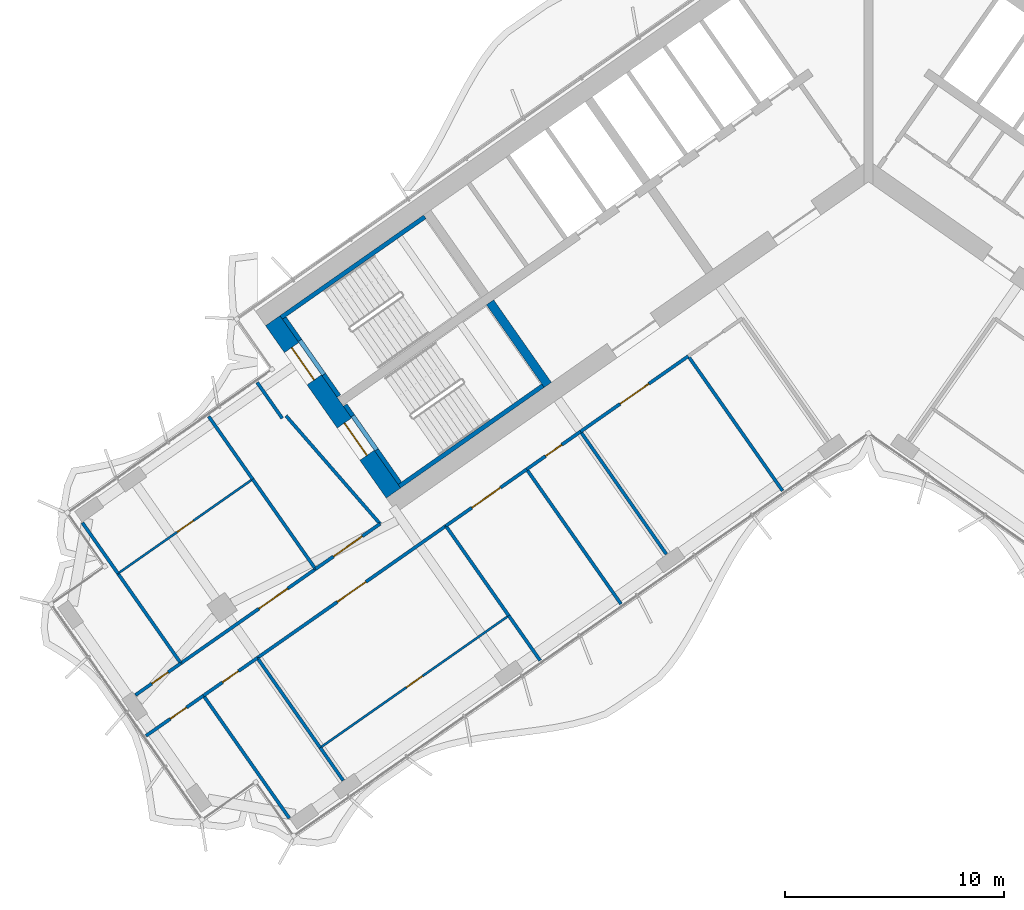
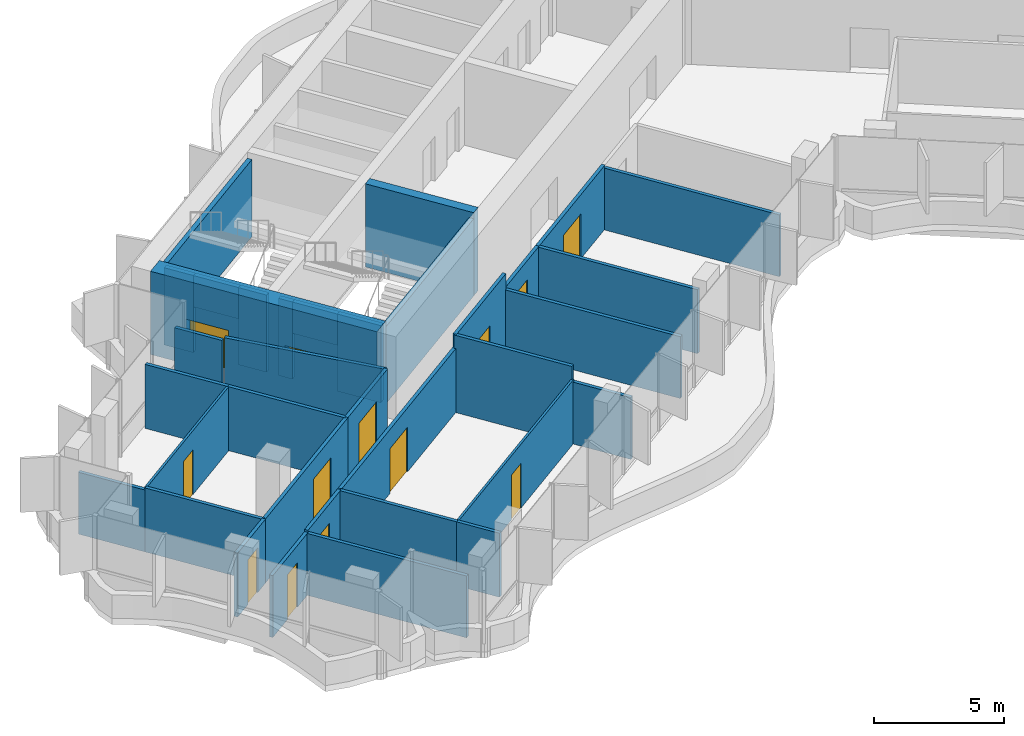
# One storey, part 14 of 23: 35 walls, 13 doors, 13 openings.
"""IFC4 building model written with IfcOpenShell, lengths in metres."""

from ifc_helpers import new_model, si_unit, direction, frame, frame_2d, origin, place, context, subcontext, project, spatial, polyline, rectangle, outline, extrude, material, layer, layer_set, type_object, element, fill, save


model = new_model("IFC4")

# Units and contexts
model_context = context("Model", 3, precision=1e-05, world=origin(), true_north=direction((0.0, 1.0)))
body_context = subcontext(model_context, "Body", "Model", "MODEL_VIEW")
ifc_project = project(units=[si_unit("LENGTHUNIT", "METRE"), si_unit("AREAUNIT", "SQUARE_METRE"), si_unit("VOLUMEUNIT", "CUBIC_METRE"), si_unit("PLANEANGLEUNIT", "RADIAN"), si_unit("MASSUNIT", "GRAM", prefix="KILO")], contexts=[model_context])

# Site, building, storey
site_placement = place(None, origin())
site = spatial("IfcSite", under=ifc_project, at=site_placement, CompositionType="ELEMENT")
building_placement = place(site_placement, origin())
building = spatial("IfcBuilding", under=site, at=building_placement, Name="Tel Ilan Convention Tower", CompositionType="ELEMENT")
storey_placement = place(building_placement, frame((0.0, 0.0, 182.699951171875)))
storey = spatial("IfcBuildingStorey", under=building, at=storey_placement, Name="L42", CompositionType="ELEMENT", Elevation=182.699951171875)

# Wall
ifc_material_1 = material(Name="Concrete C50/60", Category="concrete")
ifc_layer_1 = layer(ifc_material_1, 0.39990234375)
ifc_layer_set_1 = layer_set([ifc_layer_1], Name="Core Shear Wall 400 mm C50/60")
wall_type_1 = type_object("IfcWallType", Name="Core Shear Wall 400 mm C50/60", PredefinedType="SHEAR", material=ifc_layer_set_1)
wall_1_placement = place(storey_placement, frame((-14.6298828125, -10.48828125, 0.0), z_axis=(0.0, 0.0, 1.0), x_axis=(-0.573611936273, 0.819127185829, 0.0)))
element("IfcWall", 1, at=wall_1_placement, inside=storey, type_object=wall_type_1, Name="L42 core wall W-cross2-1", PredefinedType="SHEAR", context=body_context, shape_type="SweptSolid", body=[
    extrude(outline(polyline([(4.60009765625, 0.199951171875), (0.000244140625, 0.2001953125), (0.000244140625, -0.199951171875), (4.60009765625, -0.2001953125), (4.60009765625, 0.199951171875)])), origin(), (0.0, 0.0, 1.0), 3.900146484375),
])

# Wall, openings, doors
ifc_material_2 = material(Name="Concrete C50/60", Category="concrete")
ifc_layer_2 = layer(ifc_material_2, 0.800048828125)
ifc_layer_set_2 = layer_set([ifc_layer_2], Name="Core Shear Wall 800 mm C50/60")
wall_type_2 = type_object("IfcWallType", Name="Core Shear Wall 800 mm C50/60", PredefinedType="SHEAR", material=ifc_layer_set_2)
wall_2_placement = place(storey_placement, frame((-21.6748046875, -15.4208984375, 0.0), z_axis=(0.0, 0.0, 1.0), x_axis=(-0.573581815061, 0.819148278049, 0.0)))
wall_2 = element("IfcWall", 2, at=wall_2_placement, inside=storey, type_object=wall_type_2, Name="L42 core wall W-end", PredefinedType="SHEAR", context=body_context, shape_type="SweptSolid", body=[
    extrude(outline(polyline([(0.0, 0.39990234375), (0.0, -0.39990234375), (9.599853515625, -0.400146484375), (9.599853515625, 0.39990234375), (0.0, 0.39990234375)])), origin(), (0.0, 0.0, 1.0), 3.900146484375),
])
opening_1_placement = place(wall_2_placement, frame((6.300048828125, 0.0, 0.0)))
opening_1 = element("IfcOpeningElement", 3, at=opening_1_placement, cuts=wall_2, Name="Opening SD3201", PredefinedType="OPENING", context=body_context, shape_type="SweptSolid", body=[
    extrude(rectangle(XDim=1.800048828125, YDim=2.10009765625, at=frame_2d((0.89990234375, 1.050048828125))), frame((0.0, 0.409912109375, 0.0), z_axis=(0.0, -1.0, 0.0), x_axis=(1.0, 0.0, 0.0)), (0.0, 0.0, 1.0), 0.820068359375),
])
opening_2_placement = place(wall_2_placement, frame((2.10009765625, 0.0, 0.0)))
opening_2 = element("IfcOpeningElement", 4, at=opening_2_placement, cuts=wall_2, Name="Opening SD3202", PredefinedType="OPENING", context=body_context, shape_type="SweptSolid", body=[
    extrude(rectangle(XDim=1.800048828125, YDim=2.10009765625, at=frame_2d((0.89990234375, 1.050048828125))), frame((0.0, 0.409912109375, 0.0), z_axis=(0.0, -1.0, 0.0), x_axis=(1.0, 0.0, 0.0)), (0.0, 0.0, 1.0), 0.820068359375),
])
ifc_material_3 = material(Name="Galvanised Steel Door Leaf", Category="steel")
door_type_1 = type_object("IfcDoorType", Name="Stair Fire Door 1800 x 2100 FD60S", OperationType="NOTDEFINED", PredefinedType="DOOR", material=ifc_material_3)
door_1_placement = place(opening_1_placement, origin())
door_1 = element("IfcDoor", 5, at=door_1_placement, inside=storey, type_object=door_type_1, Name="Stair S1 door", OperationType="DOUBLE_DOOR_SINGLE_SWING", OverallHeight=2.10009765625, OverallWidth=1.800048828125, PredefinedType="DOOR", context=body_context, shape_type="SweptSolid", body=[
    extrude(rectangle(XDim=1.800048828125, YDim=2.10009765625, at=frame_2d((0.89990234375, 1.050048828125))), frame((0.0, 0.02490234375, 0.0), z_axis=(0.0, -1.0, 0.0), x_axis=(1.0, 0.0, 0.0)), (0.0, 0.0, 1.0), 0.050048828125),
])
fill(opening_1, door_1)
door_2_placement = place(opening_2_placement, origin())
door_2 = element("IfcDoor", 6, at=door_2_placement, inside=storey, type_object=door_type_1, Name="Stair S2 door", OperationType="DOUBLE_DOOR_SINGLE_SWING", OverallHeight=2.10009765625, OverallWidth=1.800048828125, PredefinedType="DOOR", context=body_context, shape_type="SweptSolid", body=[
    extrude(rectangle(XDim=1.800048828125, YDim=2.10009765625, at=frame_2d((0.89990234375, 1.050048828125))), frame((0.0, 0.02490234375, 0.0), z_axis=(0.0, -1.0, 0.0), x_axis=(1.0, 0.0, 0.0)), (0.0, 0.0, 1.0), 0.050048828125),
])
fill(opening_2, door_2)

# Wall, opening, door
ifc_material_4 = material(Name="Plasterboard on Steel Studs", Category="steel")
ifc_layer_3 = layer(ifc_material_4, 0.14990234375)
ifc_layer_set_3 = layer_set([ifc_layer_3], Name="Fire-rated Partition 150 EI 60")
wall_type_3 = type_object("IfcWallType", Name="Fire-rated Partition 150 EI 60", PredefinedType="PARTITIONING", material=ifc_layer_set_3)
wall_3_placement = place(storey_placement, frame((-25.23095703125, -18.888427734375, 0.0), z_axis=(0.0, 0.0, 1.0), x_axis=(0.819152236293, 0.573576162141, 0.0)))
wall_3 = element("IfcWall", 7, at=wall_3_placement, inside=storey, type_object=wall_type_3, Name="Partition 007", PredefinedType="PARTITIONING", context=body_context, shape_type="SweptSolid", body=[
    extrude(rectangle(XDim=3.598876953125, YDim=0.14990234375, at=frame_2d((1.79931640625, 0.0))), origin(), (0.0, 0.0, 1.0), 3.0),
])
opening_3_placement = place(wall_3_placement, frame((0.99951171875, 0.0, 0.0)))
opening_3 = element("IfcOpeningElement", 8, at=opening_3_placement, cuts=wall_3, Name="Opening L42-009", PredefinedType="OPENING", context=body_context, shape_type="SweptSolid", body=[
    extrude(rectangle(XDim=1.60009765625, YDim=2.10009765625, at=frame_2d((0.800048828125, 1.050048828125))), frame((0.0, 0.0849609375, 0.0), z_axis=(0.0, -1.0, 0.0), x_axis=(1.0, 0.0, 0.0)), (0.0, 0.0, 1.0), 0.169921875),
])
ifc_material_5 = material(Name="Timber Door Leaf in Steel Frame", Category="steel")
door_type_2 = type_object("IfcDoorType", Name="Tenant Suite Entrance Fire Door 1600x2100", OperationType="NOTDEFINED", PredefinedType="DOOR", material=ifc_material_5)
door_3_placement = place(opening_3_placement, origin())
door_3 = element("IfcDoor", 9, at=door_3_placement, inside=storey, type_object=door_type_2, Name="Door L42-009", OperationType="DOUBLE_DOOR_SINGLE_SWING", OverallHeight=2.10009765625, OverallWidth=1.60009765625, PredefinedType="DOOR", context=body_context, shape_type="SweptSolid", body=[
    extrude(rectangle(XDim=1.60009765625, YDim=2.10009765625, at=frame_2d((0.800048828125, 1.050048828125))), frame((0.0, 0.02490234375, 0.0), z_axis=(0.0, -1.0, 0.0), x_axis=(1.0, 0.0, 0.0)), (0.0, 0.0, 1.0), 0.050048828125),
])
fill(opening_3, door_3)

wall_4_placement = place(storey_placement, frame((-31.37451171875, -23.190185546875, 0.0), z_axis=(0.0, 0.0, 1.0), x_axis=(0.819153958035, 0.573573703229, 0.0)))
wall_4 = element("IfcWall", 10, at=wall_4_placement, inside=storey, type_object=wall_type_3, Name="Partition 008", PredefinedType="PARTITIONING", context=body_context, shape_type="SweptSolid", body=[
    extrude(rectangle(XDim=7.503662109375, YDim=0.14990234375, at=frame_2d((3.751953125, 0.0))), origin(), (0.0, 0.0, 1.0), 3.0),
])
opening_4_placement = place(wall_4_placement, frame((4.351806640625, 0.0, 0.0)))
opening_4 = element("IfcOpeningElement", 11, at=opening_4_placement, cuts=wall_4, Name="Opening L42-010", PredefinedType="OPENING", context=body_context, shape_type="SweptSolid", body=[
    extrude(rectangle(XDim=1.60009765625, YDim=2.10009765625, at=frame_2d((0.800048828125, 1.050048828125))), frame((0.0, 0.0849609375, 0.0), z_axis=(0.0, -1.0, 0.0), x_axis=(1.0, 0.0, 0.0)), (0.0, 0.0, 1.0), 0.169921875),
])
door_4_placement = place(opening_4_placement, origin())
door_4 = element("IfcDoor", 12, at=door_4_placement, inside=storey, type_object=door_type_2, Name="Door L42-010", OperationType="DOUBLE_DOOR_SINGLE_SWING", OverallHeight=2.10009765625, OverallWidth=1.60009765625, PredefinedType="DOOR", context=body_context, shape_type="SweptSolid", body=[
    extrude(rectangle(XDim=1.60009765625, YDim=2.10009765625, at=frame_2d((0.800048828125, 1.050048828125))), frame((0.0, 0.02490234375, 0.0), z_axis=(0.0, -1.0, 0.0), x_axis=(1.0, 0.0, 0.0)), (0.0, 0.0, 1.0), 0.050048828125),
])
fill(opening_4, door_4)

wall_5_placement = place(storey_placement, frame((-33.4453125, -24.640380859375, 0.0), z_axis=(0.0, 0.0, 1.0), x_axis=(0.819163961478, 0.573559416465, 0.0)))
wall_5 = element("IfcWall", 13, at=wall_5_placement, inside=storey, type_object=wall_type_3, Name="Partition 009", PredefinedType="PARTITIONING", context=body_context, shape_type="SweptSolid", body=[
    extrude(rectangle(XDim=2.53173828125, YDim=0.14990234375, at=frame_2d((1.265869140625, 0.0))), origin(), (0.0, 0.0, 1.0), 3.0),
])
opening_5_placement = place(wall_5_placement, frame((0.916015625, 0.0, 0.0)))
opening_5 = element("IfcOpeningElement", 14, at=opening_5_placement, cuts=wall_5, Name="Opening L42-012", PredefinedType="OPENING", context=body_context, shape_type="SweptSolid", body=[
    extrude(rectangle(XDim=0.89990234375, YDim=2.10009765625, at=frame_2d((0.449951171875, 1.050048828125))), frame((0.0, 0.0849609375, 0.0), z_axis=(0.0, -1.0, 0.0), x_axis=(1.0, 0.0, 0.0)), (0.0, 0.0, 1.0), 0.169921875),
])
ifc_material_6 = material(Name="Timber Door Leaf in Steel Frame", Category="steel")
door_type_3 = type_object("IfcDoorType", Name="Room Fire Door 900x2100", OperationType="NOTDEFINED", PredefinedType="DOOR", material=ifc_material_6)
door_5_placement = place(opening_5_placement, origin())
door_5 = element("IfcDoor", 15, at=door_5_placement, inside=storey, type_object=door_type_3, Name="Door L42-012", OperationType="SINGLE_SWING_RIGHT", OverallHeight=2.10009765625, OverallWidth=0.89990234375, PredefinedType="DOOR", context=body_context, shape_type="SweptSolid", body=[
    extrude(rectangle(XDim=0.89990234375, YDim=2.10009765625, at=frame_2d((0.449951171875, 1.050048828125))), frame((0.0, 0.02490234375, 0.0), z_axis=(0.0, -1.0, 0.0), x_axis=(1.0, 0.0, 0.0)), (0.0, 0.0, 1.0), 0.050048828125),
])
fill(opening_5, door_5)

wall_6_placement = place(storey_placement, frame((-8.22216796875, -9.17529296875, 0.0), z_axis=(0.0, 0.0, 1.0), x_axis=(-0.819145946981, -0.573585144111, 0.0)))
wall_6 = element("IfcWall", 16, at=wall_6_placement, inside=storey, type_object=wall_type_3, Name="Partition 011", PredefinedType="PARTITIONING", context=body_context, shape_type="SweptSolid", body=[
    extrude(rectangle(XDim=6.004150390625, YDim=0.14990234375, at=frame_2d((3.001953125, 0.0))), origin(), (0.0, 0.0, 1.0), 3.0),
])
opening_6_placement = place(wall_6_placement, frame((2.201904296875, 0.0, 0.0)))
opening_6 = element("IfcOpeningElement", 17, at=opening_6_placement, cuts=wall_6, Name="Opening L42-002", PredefinedType="OPENING", context=body_context, shape_type="SweptSolid", body=[
    extrude(rectangle(XDim=1.60009765625, YDim=2.10009765625, at=frame_2d((0.800048828125, 1.050048828125))), frame((0.0, 0.0849609375, 0.0), z_axis=(0.0, -1.0, 0.0), x_axis=(1.0, 0.0, 0.0)), (0.0, 0.0, 1.0), 0.169921875),
])
door_6_placement = place(opening_6_placement, origin())
door_6 = element("IfcDoor", 18, at=door_6_placement, inside=storey, type_object=door_type_2, Name="Door L42-002", OperationType="DOUBLE_DOOR_SINGLE_SWING", OverallHeight=2.10009765625, OverallWidth=1.60009765625, PredefinedType="DOOR", context=body_context, shape_type="SweptSolid", body=[
    extrude(rectangle(XDim=1.60009765625, YDim=2.10009765625, at=frame_2d((0.800048828125, 1.050048828125))), frame((0.0, 0.02490234375, 0.0), z_axis=(0.0, -1.0, 0.0), x_axis=(1.0, 0.0, 0.0)), (0.0, 0.0, 1.0), 0.050048828125),
])
fill(opening_6, door_6)

wall_7_placement = place(storey_placement, frame((-13.13720703125, -12.616943359375, 0.0), z_axis=(0.0, 0.0, 1.0), x_axis=(-0.81916700466, -0.573555070134, 0.0)))
wall_7 = element("IfcWall", 19, at=wall_7_placement, inside=storey, type_object=wall_type_3, Name="Partition 012", PredefinedType="PARTITIONING", context=body_context, shape_type="SweptSolid", body=[
    extrude(rectangle(XDim=3.00390625, YDim=0.14990234375, at=frame_2d((1.501953125, 0.0))), origin(), (0.0, 0.0, 1.0), 3.0),
])
opening_7_placement = place(wall_7_placement, frame((1.052001953125, 0.0, 0.0)))
opening_7 = element("IfcOpeningElement", 20, at=opening_7_placement, cuts=wall_7, Name="Opening L42-003", PredefinedType="OPENING", context=body_context, shape_type="SweptSolid", body=[
    extrude(rectangle(XDim=0.89990234375, YDim=2.10009765625, at=frame_2d((0.449951171875, 1.050048828125))), frame((0.0, 0.0849609375, 0.0), z_axis=(0.0, -1.0, 0.0), x_axis=(1.0, 0.0, 0.0)), (0.0, 0.0, 1.0), 0.169921875),
])
door_7_placement = place(opening_7_placement, origin())
door_7 = element("IfcDoor", 21, at=door_7_placement, inside=storey, type_object=door_type_3, Name="Door L42-003", OperationType="SINGLE_SWING_RIGHT", OverallHeight=2.10009765625, OverallWidth=0.89990234375, PredefinedType="DOOR", context=body_context, shape_type="SweptSolid", body=[
    extrude(rectangle(XDim=0.89990234375, YDim=2.10009765625, at=frame_2d((0.449951171875, 1.050048828125))), frame((0.0, 0.02490234375, 0.0), z_axis=(0.0, -1.0, 0.0), x_axis=(1.0, 0.0, 0.0)), (0.0, 0.0, 1.0), 0.050048828125),
])
fill(opening_7, door_7)

wall_8_placement = place(storey_placement, frame((-15.594482421875, -14.337646484375, 0.0), z_axis=(0.0, 0.0, 1.0), x_axis=(-0.819165703328, -0.573556928727, 0.0)))
wall_8 = element("IfcWall", 22, at=wall_8_placement, inside=storey, type_object=wall_type_3, Name="Partition 013", PredefinedType="PARTITIONING", context=body_context, shape_type="SweptSolid", body=[
    extrude(rectangle(XDim=4.50390625, YDim=0.14990234375, at=frame_2d((2.251953125, 0.0))), origin(), (0.0, 0.0, 1.0), 3.6201171875),
])
opening_8_placement = place(wall_8_placement, frame((1.451904296875, 0.0, 0.0)))
opening_8 = element("IfcOpeningElement", 23, at=opening_8_placement, cuts=wall_8, Name="Opening L42-004", PredefinedType="OPENING", context=body_context, shape_type="SweptSolid", body=[
    extrude(rectangle(XDim=1.60009765625, YDim=2.10009765625, at=frame_2d((0.800048828125, 1.050048828125))), frame((0.0, 0.0849609375, 0.0), z_axis=(0.0, -1.0, 0.0), x_axis=(1.0, 0.0, 0.0)), (0.0, 0.0, 1.0), 0.169921875),
])
door_8_placement = place(opening_8_placement, origin())
door_8 = element("IfcDoor", 24, at=door_8_placement, inside=storey, type_object=door_type_2, Name="Door L42-004", OperationType="DOUBLE_DOOR_SINGLE_SWING", OverallHeight=2.10009765625, OverallWidth=1.60009765625, PredefinedType="DOOR", context=body_context, shape_type="SweptSolid", body=[
    extrude(rectangle(XDim=1.60009765625, YDim=2.10009765625, at=frame_2d((0.800048828125, 1.050048828125))), frame((0.0, 0.02490234375, 0.0), z_axis=(0.0, -1.0, 0.0), x_axis=(1.0, 0.0, 0.0)), (0.0, 0.0, 1.0), 0.050048828125),
])
fill(opening_8, door_8)

wall_9_placement = place(storey_placement, frame((-19.28076171875, -16.918701171875, 0.0), z_axis=(0.0, 0.0, 1.0), x_axis=(-0.819145647741, -0.57358557146, 0.0)))
wall_9 = element("IfcWall", 25, at=wall_9_placement, inside=storey, type_object=wall_type_3, Name="Partition 014", PredefinedType="PARTITIONING", context=body_context, shape_type="SweptSolid", body=[
    extrude(rectangle(XDim=10.50390625, YDim=0.14990234375, at=frame_2d((5.251953125, 0.0))), origin(), (0.0, 0.0, 1.0), 3.0),
])
opening_9_placement = place(wall_9_placement, frame((4.451904296875, 0.0, 0.0)))
opening_9 = element("IfcOpeningElement", 26, at=opening_9_placement, cuts=wall_9, Name="Opening L42-005", PredefinedType="OPENING", context=body_context, shape_type="SweptSolid", body=[
    extrude(rectangle(XDim=1.60009765625, YDim=2.10009765625, at=frame_2d((0.800048828125, 1.050048828125))), frame((0.0, 0.0849609375, 0.0), z_axis=(0.0, -1.0, 0.0), x_axis=(1.0, 0.0, 0.0)), (0.0, 0.0, 1.0), 0.169921875),
])
door_9_placement = place(opening_9_placement, origin())
door_9 = element("IfcDoor", 27, at=door_9_placement, inside=storey, type_object=door_type_2, Name="Door L42-005", OperationType="DOUBLE_DOOR_SINGLE_SWING", OverallHeight=2.10009765625, OverallWidth=1.60009765625, PredefinedType="DOOR", context=body_context, shape_type="SweptSolid", body=[
    extrude(rectangle(XDim=1.60009765625, YDim=2.10009765625, at=frame_2d((0.800048828125, 1.050048828125))), frame((0.0, 0.02490234375, 0.0), z_axis=(0.0, -1.0, 0.0), x_axis=(1.0, 0.0, 0.0)), (0.0, 0.0, 1.0), 0.050048828125),
])
fill(opening_9, door_9)

wall_10_placement = place(storey_placement, frame((-27.8818359375, -22.94140625, 0.0), z_axis=(0.0, 0.0, 1.0), x_axis=(-0.81916700466, -0.573555070134, 0.0)))
wall_10 = element("IfcWall", 28, at=wall_10_placement, inside=storey, type_object=wall_type_3, Name="Partition 015", PredefinedType="PARTITIONING", context=body_context, shape_type="SweptSolid", body=[
    extrude(rectangle(XDim=3.00390625, YDim=0.14990234375, at=frame_2d((1.501953125, 0.0))), origin(), (0.0, 0.0, 1.0), 3.0),
])
opening_10_placement = place(wall_10_placement, frame((1.052001953125, 0.0, 0.0)))
opening_10 = element("IfcOpeningElement", 29, at=opening_10_placement, cuts=wall_10, Name="Opening L42-007", PredefinedType="OPENING", context=body_context, shape_type="SweptSolid", body=[
    extrude(rectangle(XDim=0.89990234375, YDim=2.10009765625, at=frame_2d((0.449951171875, 1.050048828125))), frame((0.0, 0.0849609375, 0.0), z_axis=(0.0, -1.0, 0.0), x_axis=(1.0, 0.0, 0.0)), (0.0, 0.0, 1.0), 0.169921875),
])
door_10_placement = place(opening_10_placement, origin())
door_10 = element("IfcDoor", 30, at=door_10_placement, inside=storey, type_object=door_type_3, Name="Door L42-007", OperationType="SINGLE_SWING_RIGHT", OverallHeight=2.10009765625, OverallWidth=0.89990234375, PredefinedType="DOOR", context=body_context, shape_type="SweptSolid", body=[
    extrude(rectangle(XDim=0.89990234375, YDim=2.10009765625, at=frame_2d((0.449951171875, 1.050048828125))), frame((0.0, 0.02490234375, 0.0), z_axis=(0.0, -1.0, 0.0), x_axis=(1.0, 0.0, 0.0)), (0.0, 0.0, 1.0), 0.050048828125),
])
fill(opening_10, door_10)

wall_11_placement = place(storey_placement, frame((-30.33935546875, -24.662109375, 0.0), z_axis=(0.0, 0.0, 1.0), x_axis=(-0.819163851829, -0.573559573067, 0.0)))
wall_11 = element("IfcWall", 31, at=wall_11_placement, inside=storey, type_object=wall_type_3, Name="Partition 016", PredefinedType="PARTITIONING", context=body_context, shape_type="SweptSolid", body=[
    extrude(rectangle(XDim=3.201904296875, YDim=0.14990234375, at=frame_2d((1.60107421875, 0.0))), origin(), (0.0, 0.0, 1.0), 2.900146484375),
])
opening_11_placement = place(wall_11_placement, frame((0.950927734375, 0.0, 0.0)))
opening_11 = element("IfcOpeningElement", 32, at=opening_11_placement, cuts=wall_11, Name="Opening L42-008", PredefinedType="OPENING", context=body_context, shape_type="SweptSolid", body=[
    extrude(rectangle(XDim=0.89990234375, YDim=2.10009765625, at=frame_2d((0.449951171875, 1.050048828125))), frame((0.0, 0.0849609375, 0.0), z_axis=(0.0, -1.0, 0.0), x_axis=(1.0, 0.0, 0.0)), (0.0, 0.0, 1.0), 0.169921875),
])
door_11_placement = place(opening_11_placement, origin())
door_11 = element("IfcDoor", 33, at=door_11_placement, inside=storey, type_object=door_type_3, Name="Door L42-008", OperationType="SINGLE_SWING_RIGHT", OverallHeight=2.10009765625, OverallWidth=0.89990234375, PredefinedType="DOOR", context=body_context, shape_type="SweptSolid", body=[
    extrude(rectangle(XDim=0.89990234375, YDim=2.10009765625, at=frame_2d((0.449951171875, 1.050048828125))), frame((0.0, 0.02490234375, 0.0), z_axis=(0.0, -1.0, 0.0), x_axis=(1.0, 0.0, 0.0)), (0.0, 0.0, 1.0), 0.050048828125),
])
fill(opening_11, door_11)

# Walls
wall_12_placement = place(storey_placement, frame((-26.74609375, -12.013671875, 0.0), z_axis=(0.0, 0.0, 1.0), x_axis=(-0.573568836472, 0.819157365729, 0.0)))
element("IfcWall", 34, at=wall_12_placement, inside=storey, type_object=wall_type_3, Name="Partition 031", PredefinedType="PARTITIONING", context=body_context, shape_type="SweptSolid", body=[
    extrude(rectangle(XDim=2.000244140625, YDim=0.14990234375, at=frame_2d((1.0, 0.0))), origin(), (0.0, 0.0, 1.0), 3.0),
])
wall_13_placement = place(storey_placement, frame((-22.28369140625, -16.826416015625, 0.0), z_axis=(0.0, 0.0, 1.0), x_axis=(-0.656758142177, 0.754101281449, 0.0)))
element("IfcWall", 35, at=wall_13_placement, inside=storey, type_object=wall_type_3, Name="Partition 032", PredefinedType="PARTITIONING", context=body_context, shape_type="SweptSolid", body=[
    extrude(rectangle(XDim=6.53857421875, YDim=0.14990234375, at=frame_2d((3.269287109375, 0.0))), origin(), (0.0, 0.0, 1.0), 3.0),
])
wall_14_placement = place(storey_placement, frame((-28.096923828125, -14.7919921875, 0.0), z_axis=(0.0, 0.0, 1.0), x_axis=(-0.573560622794, 0.819163116834, 0.0)))
element("IfcWall", 36, at=wall_14_placement, inside=storey, type_object=wall_type_3, Name="Partition 033", PredefinedType="PARTITIONING", context=body_context, shape_type="SweptSolid", body=[
    extrude(rectangle(XDim=3.5009765625, YDim=0.14990234375, at=frame_2d((1.75048828125, 0.0))), origin(), (0.0, 0.0, 1.0), 3.0),
])
wall_15_placement = place(storey_placement, frame((-25.229736328125, -18.88671875, 0.0), z_axis=(0.0, 0.0, 1.0), x_axis=(-0.573557338351, 0.819165416521, 0.0)))
element("IfcWall", 37, at=wall_15_placement, inside=storey, type_object=wall_type_3, Name="Partition 034", PredefinedType="PARTITIONING", context=body_context, shape_type="SweptSolid", body=[
    extrude(rectangle(XDim=5.001953125, YDim=0.14990234375, at=frame_2d((2.5009765625, 0.0))), origin(), (0.0, 0.0, 1.0), 3.0),
])
wall_16_placement = place(storey_placement, frame((-34.24169921875, -19.092041015625, 0.0), z_axis=(0.0, 0.0, 1.0), x_axis=(-0.573612919194, 0.819126497516, 0.0)))
element("IfcWall", 38, at=wall_16_placement, inside=storey, type_object=wall_type_3, Name="Partition 036", PredefinedType="PARTITIONING", context=body_context, shape_type="SweptSolid", body=[
    extrude(rectangle(XDim=2.8291015625, YDim=0.14990234375, at=frame_2d((1.41455078125, 0.0))), origin(), (0.0, 0.0, 1.0), 2.900146484375),
])
wall_17_placement = place(storey_placement, frame((-31.373291015625, -23.188720703125, 0.0), z_axis=(0.0, 0.0, 1.0), x_axis=(-0.573586866468, 0.819144740944, 0.0)))
element("IfcWall", 39, at=wall_17_placement, inside=storey, type_object=wall_type_3, Name="Partition 037", PredefinedType="PARTITIONING", context=body_context, shape_type="SweptSolid", body=[
    extrude(rectangle(XDim=5.0, YDim=0.14990234375, at=frame_2d((2.5, 0.0))), origin(), (0.0, 0.0, 1.0), 3.0),
])
wall_18_placement = place(storey_placement, frame((-3.922119140625, -15.3203125, 0.0), z_axis=(0.0, 0.0, 1.0), x_axis=(-0.573560650686, 0.819163097304, 0.0)))
element("IfcWall", 40, at=wall_18_placement, inside=storey, type_object=wall_type_3, Name="Partition 038", PredefinedType="PARTITIONING", context=body_context, shape_type="SweptSolid", body=[
    extrude(rectangle(XDim=7.5, YDim=0.14990234375, at=frame_2d((3.75, 0.0))), origin(), (0.0, 0.0, 1.0), 2.900146484375),
])
wall_19_placement = place(storey_placement, frame((-9.22119140625, -18.212890625, 0.0), z_axis=(0.0, 0.0, 1.0), x_axis=(-0.573560698343, 0.819163063936, 0.0)))
element("IfcWall", 41, at=wall_19_placement, inside=storey, type_object=wall_type_3, Name="Partition 039", PredefinedType="PARTITIONING", context=body_context, shape_type="SweptSolid", body=[
    extrude(rectangle(XDim=6.830078125, YDim=0.14990234375, at=frame_2d((3.4150390625, 0.0))), origin(), (0.0, 0.0, 1.0), 3.0),
])
wall_20_placement = place(storey_placement, frame((-11.29443359375, -20.482421875, 0.0), z_axis=(0.0, 0.0, 1.0), x_axis=(-0.573560650686, 0.819163097304, 0.0)))
element("IfcWall", 42, at=wall_20_placement, inside=storey, type_object=wall_type_3, Name="Partition 040", PredefinedType="PARTITIONING", context=body_context, shape_type="SweptSolid", body=[
    extrude(rectangle(XDim=7.5, YDim=0.14990234375, at=frame_2d((3.75, 0.0))), origin(), (0.0, 0.0, 1.0), 2.900146484375),
])
wall_21_placement = place(storey_placement, frame((-14.98046875, -23.0634765625, 0.0), z_axis=(0.0, 0.0, 1.0), x_axis=(-0.573613022702, 0.819126425033, 0.0)))
element("IfcWall", 43, at=wall_21_placement, inside=storey, type_object=wall_type_3, Name="Partition 041", PredefinedType="PARTITIONING", context=body_context, shape_type="SweptSolid", body=[
    extrude(rectangle(XDim=2.5009765625, YDim=0.14990234375, at=frame_2d((1.25048828125, 0.0))), origin(), (0.0, 0.0, 1.0), 2.900146484375),
])
wall_22_placement = place(storey_placement, frame((-16.413330078125, -21.01708984375, 0.0), z_axis=(0.0, 0.0, 1.0), x_axis=(-0.573613022702, 0.819126425033, 0.0)))
element("IfcWall", 44, at=wall_22_placement, inside=storey, type_object=wall_type_3, Name="Partition 042", PredefinedType="PARTITIONING", context=body_context, shape_type="SweptSolid", body=[
    extrude(rectangle(XDim=5.001953125, YDim=0.14990234375, at=frame_2d((2.5009765625, 0.0))), origin(), (0.0, 0.0, 1.0), 3.6201171875),
])
wall_23_placement = place(storey_placement, frame((-23.9658203125, -28.537109375, 0.0), z_axis=(0.0, 0.0, 1.0), x_axis=(-0.573623601139, 0.819119017125, 0.0)))
element("IfcWall", 45, at=wall_23_placement, inside=storey, type_object=wall_type_3, Name="Partition 044", PredefinedType="PARTITIONING", context=body_context, shape_type="SweptSolid", body=[
    extrude(rectangle(XDim=1.828857421875, YDim=0.14990234375, at=frame_2d((0.91455078125, 0.0))), origin(), (0.0, 0.0, 1.0), 3.0),
])
wall_24_placement = place(storey_placement, frame((-25.015625, -27.0380859375, 0.0), z_axis=(0.0, 0.0, 1.0), x_axis=(-0.573586866468, 0.819144740944, 0.0)))
element("IfcWall", 46, at=wall_24_placement, inside=storey, type_object=wall_type_3, Name="Partition 045", PredefinedType="PARTITIONING", context=body_context, shape_type="SweptSolid", body=[
    extrude(rectangle(XDim=5.0, YDim=0.14990234375, at=frame_2d((2.5, 0.0))), origin(), (0.0, 0.0, 1.0), 3.0),
])
wall_25_placement = place(storey_placement, frame((-26.42333984375, -30.2578125, 0.0), z_axis=(0.0, 0.0, 1.0), x_axis=(-0.573577493031, 0.819151304393, 0.0)))
element("IfcWall", 47, at=wall_25_placement, inside=storey, type_object=wall_type_3, Name="Partition 046", PredefinedType="PARTITIONING", context=body_context, shape_type="SweptSolid", body=[
    extrude(rectangle(XDim=6.829833984375, YDim=0.14990234375, at=frame_2d((3.4150390625, 0.0))), origin(), (0.0, 0.0, 1.0), 2.900146484375),
])

# Wall, opening, door
ifc_material_7 = material(Name="Plasterboard on Steel Studs", Category="steel")
ifc_layer_4 = layer(ifc_material_7, 0.10009765625)
ifc_layer_set_4 = layer_set([ifc_layer_4], Name="Plasterboard Partition 100")
wall_type_4 = type_object("IfcWallType", Name="Plasterboard Partition 100", PredefinedType="PARTITIONING", material=ifc_layer_set_4)
wall_26_placement = place(storey_placement, frame((-34.24169921875, -19.092041015625, 0.0), z_axis=(0.0, 0.0, 1.0), x_axis=(0.81915238829, 0.573575945067, 0.0)))
wall_26 = element("IfcWall", 48, at=wall_26_placement, inside=storey, type_object=wall_type_4, Name="Partition 035", PredefinedType="PARTITIONING", context=body_context, shape_type="SweptSolid", body=[
    extrude(rectangle(XDim=7.5, YDim=0.10009765625, at=frame_2d((3.75, 0.0))), origin(), (0.0, 0.0, 1.0), 3.0),
])
opening_12_placement = place(wall_26_placement, frame((3.300048828125, 0.0, 0.0)))
opening_12 = element("IfcOpeningElement", 49, at=opening_12_placement, cuts=wall_26, Name="Opening L42-011", PredefinedType="OPENING", context=body_context, shape_type="SweptSolid", body=[
    extrude(rectangle(XDim=0.89990234375, YDim=2.10009765625, at=frame_2d((0.449951171875, 1.050048828125))), frame((0.0, 0.06005859375, 0.0), z_axis=(0.0, -1.0, 0.0), x_axis=(1.0, 0.0, 0.0)), (0.0, 0.0, 1.0), 0.1201171875),
])
ifc_material_8 = material(Name="Timber Door Leaf in Steel Frame", Category="steel")
door_type_4 = type_object("IfcDoorType", Name="Room Timber Door 900x2100", OperationType="NOTDEFINED", PredefinedType="DOOR", material=ifc_material_8)
door_12_placement = place(opening_12_placement, origin())
door_12 = element("IfcDoor", 50, at=door_12_placement, inside=storey, type_object=door_type_4, Name="Door L42-011", OperationType="SINGLE_SWING_LEFT", OverallHeight=2.10009765625, OverallWidth=0.89990234375, PredefinedType="DOOR", context=body_context, shape_type="SweptSolid", body=[
    extrude(rectangle(XDim=0.89990234375, YDim=2.10009765625, at=frame_2d((0.449951171875, 1.050048828125))), frame((0.0, 0.02490234375, 0.0), z_axis=(0.0, -1.0, 0.0), x_axis=(1.0, 0.0, 0.0)), (0.0, 0.0, 1.0), 0.050048828125),
])
fill(opening_12, door_12)

wall_27_placement = place(storey_placement, frame((-16.413818359375, -21.016357421875, 0.0), z_axis=(0.0, 0.0, 1.0), x_axis=(-0.81914452344, -0.573587177086, 0.0)))
wall_27 = element("IfcWall", 51, at=wall_27_placement, inside=storey, type_object=wall_type_4, Name="Partition 043", PredefinedType="PARTITIONING", context=body_context, shape_type="SweptSolid", body=[
    extrude(rectangle(XDim=10.5, YDim=0.10009765625, at=frame_2d((5.25, 0.0))), origin(), (0.0, 0.0, 1.0), 3.0),
])
opening_13_placement = place(wall_27_placement, frame((4.800048828125, 0.0, 0.0)))
opening_13 = element("IfcOpeningElement", 52, at=opening_13_placement, cuts=wall_27, Name="Opening L42-006", PredefinedType="OPENING", context=body_context, shape_type="SweptSolid", body=[
    extrude(rectangle(XDim=0.89990234375, YDim=2.10009765625, at=frame_2d((0.449951171875, 1.050048828125))), frame((0.0, 0.06005859375, 0.0), z_axis=(0.0, -1.0, 0.0), x_axis=(1.0, 0.0, 0.0)), (0.0, 0.0, 1.0), 0.1201171875),
])
door_13_placement = place(opening_13_placement, origin())
door_13 = element("IfcDoor", 53, at=door_13_placement, inside=storey, type_object=door_type_4, Name="Door L42-006", OperationType="SINGLE_SWING_LEFT", OverallHeight=2.10009765625, OverallWidth=0.89990234375, PredefinedType="DOOR", context=body_context, shape_type="SweptSolid", body=[
    extrude(rectangle(XDim=0.89990234375, YDim=2.10009765625, at=frame_2d((0.449951171875, 1.050048828125))), frame((0.0, 0.02490234375, 0.0), z_axis=(0.0, -1.0, 0.0), x_axis=(1.0, 0.0, 0.0)), (0.0, 0.0, 1.0), 0.050048828125),
])
fill(opening_13, door_13)

# Walls
ifc_material_9 = material(Name="Concrete C30/37", Category="concrete")
ifc_layer_5 = layer(ifc_material_9, 0.199951171875)
ifc_layer_set_5 = layer_set([ifc_layer_5], Name="Stair and Shaft Lining Wall 200 mm C30/37")
wall_type_5 = type_object("IfcWallType", Name="Stair and Shaft Lining Wall 200 mm C30/37", PredefinedType="SOLIDWALL", material=ifc_layer_set_5)
wall_28_placement = place(storey_placement, frame((-20.242919921875, -2.821044921875, 0.0), z_axis=(0.0, 0.0, 1.0), x_axis=(-0.819141584393, -0.57359137434, 0.0)))
element("IfcWall", 54, at=wall_28_placement, inside=storey, type_object=wall_type_5, Name="L42 core wall lining-S1-t1", PredefinedType="SOLIDWALL", context=body_context, shape_type="SweptSolid", body=[
    extrude(rectangle(XDim=7.999755859375, YDim=0.199951171875, at=frame_2d((4.0, 0.0))), origin(), (0.0, 0.0, 1.0), 3.6201171875),
])
wall_29_placement = place(storey_placement, frame((-24.16162109375, -10.99755859375, 0.0), z_axis=(0.0, 0.0, 1.0), x_axis=(-0.573612502218, 0.819126789514, 0.0)))
element("IfcWall", 55, at=wall_29_placement, inside=storey, type_object=wall_type_5, Name="L42 core wall lining-S1-u1-0", PredefinedType="SOLIDWALL", context=body_context, shape_type="SweptSolid", body=[
    extrude(rectangle(XDim=1.2001953125, YDim=0.199951171875, at=frame_2d((0.60009765625, 0.0))), origin(), (0.0, 0.0, 1.0), 3.6201171875),
])
wall_30_placement = place(storey_placement, frame((-25.939697265625, -8.4580078125, 0.0), z_axis=(0.0, 0.0, 1.0), x_axis=(-0.573619628835, 0.819121798889, 0.0)))
element("IfcWall", 56, at=wall_30_placement, inside=storey, type_object=wall_type_5, Name="L42 core wall lining-S1-u1-1", PredefinedType="SOLIDWALL", context=body_context, shape_type="SweptSolid", body=[
    extrude(rectangle(XDim=1.25, YDim=0.199951171875, at=frame_2d((0.625, 0.0))), origin(), (0.0, 0.0, 1.0), 3.6201171875),
])
wall_31_placement = place(storey_placement, frame((-24.85009765625, -10.014404296875, 2.150146484375), z_axis=(0.0, 0.0, 1.0), x_axis=(-0.573505465124, 0.819201734296, 0.0)))
element("IfcWall", 57, at=wall_31_placement, inside=storey, type_object=wall_type_5, Name="L42 core wall lining-S1-u1-lintel", PredefinedType="SOLIDWALL", context=body_context, shape_type="SweptSolid", body=[
    extrude(rectangle(XDim=1.89990234375, YDim=0.199951171875, at=frame_2d((0.949951171875, 0.0))), origin(), (0.0, 0.0, 1.0), 1.469970703125),
])
wall_32_placement = place(storey_placement, frame((-14.851318359375, -10.52099609375, 0.0), z_axis=(0.0, 0.0, 1.0), x_axis=(-0.819141584393, -0.57359137434, 0.0)))
element("IfcWall", 58, at=wall_32_placement, inside=storey, type_object=wall_type_5, Name="L42 core wall lining-S2-t0", PredefinedType="SOLIDWALL", context=body_context, shape_type="SweptSolid", body=[
    extrude(rectangle(XDim=7.999755859375, YDim=0.199951171875, at=frame_2d((4.0, 0.0))), origin(), (0.0, 0.0, 1.0), 3.6201171875),
])
wall_33_placement = place(storey_placement, frame((-21.3798828125, -14.97021484375, 0.0), z_axis=(0.0, 0.0, 1.0), x_axis=(-0.573559770908, 0.819163713305, 0.0)))
element("IfcWall", 59, at=wall_33_placement, inside=storey, type_object=wall_type_5, Name="L42 core wall lining-S2-u1-0", PredefinedType="SOLIDWALL", context=body_context, shape_type="SweptSolid", body=[
    extrude(rectangle(XDim=1.849853515625, YDim=0.199951171875, at=frame_2d((0.9248046875, 0.0))), origin(), (0.0, 0.0, 1.0), 3.6201171875),
])
wall_34_placement = place(storey_placement, frame((-23.53076171875, -11.8984375, 0.0), z_axis=(0.0, 0.0, 1.0), x_axis=(-0.573708088123, 0.819059844958, 0.0)))
element("IfcWall", 60, at=wall_34_placement, inside=storey, type_object=wall_type_5, Name="L42 core wall lining-S2-u1-1", PredefinedType="SOLIDWALL", context=body_context, shape_type="SweptSolid", body=[
    extrude(rectangle(XDim=0.60009765625, YDim=0.199951171875, at=frame_2d((0.300048828125, 0.0))), origin(), (0.0, 0.0, 1.0), 3.6201171875),
])
wall_35_placement = place(storey_placement, frame((-22.44091796875, -13.454833984375, 2.150146484375), z_axis=(0.0, 0.0, 1.0), x_axis=(-0.573591692345, 0.819141361715, 0.0)))
element("IfcWall", 61, at=wall_35_placement, inside=storey, type_object=wall_type_5, Name="L42 core wall lining-S2-u1-lintel", PredefinedType="SOLIDWALL", context=body_context, shape_type="SweptSolid", body=[
    extrude(rectangle(XDim=1.900146484375, YDim=0.199951171875, at=frame_2d((0.9501953125, 0.0))), origin(), (0.0, 0.0, 1.0), 1.469970703125),
])

save(model, "model.ifc")
